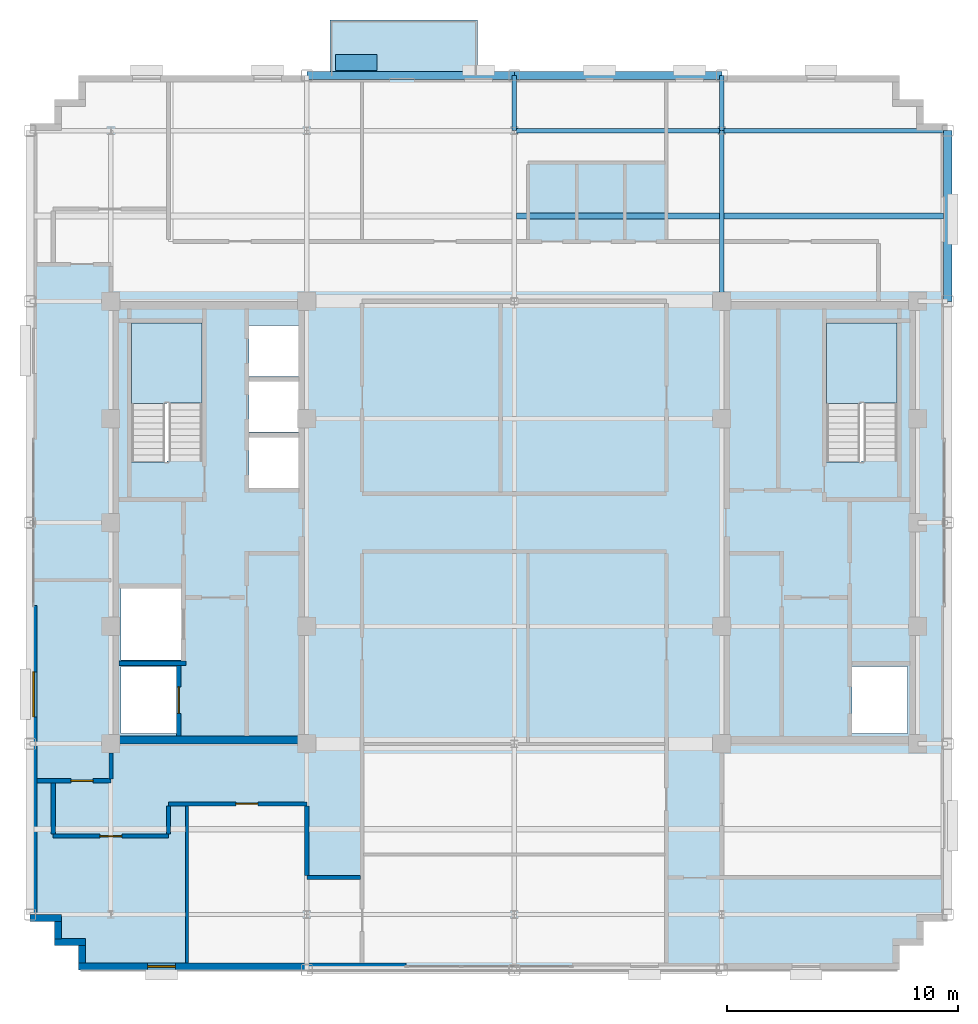
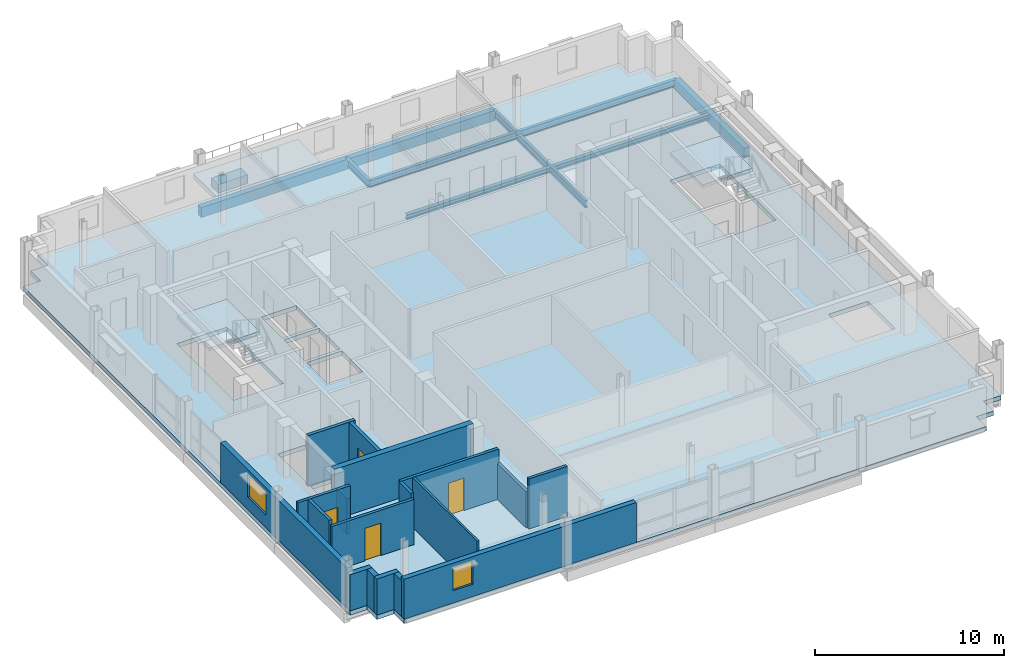
# One storey, part 5 of 16: 18 walls, 10 beams, 4 doors, 4 slabs, 2 windows, 1 plate, 6 openings, 2 elements without a shape of their own.
"""IFC4 building model written with IfcOpenShell, lengths in metres."""

from ifc_helpers import new_model, si_unit, direction, frame, frame_2d, origin, origin_2d, place, context, subcontext, project, spatial, polyline, rectangle, i_section, outline, extrude, source, transform, mapped, material, layer, layer_set, material_profile, profile_set, type_object, type_shapes, element, fill, aggregate, save


model = new_model("IFC4")

# Units and contexts
model_context = context("Model", 3, precision=1e-05, world=origin(), true_north=direction((0.0, 1.0)))
body_context = subcontext(model_context, "Body", "Model", "MODEL_VIEW")
ifc_project = project(units=[si_unit("LENGTHUNIT", "METRE"), si_unit("AREAUNIT", "SQUARE_METRE"), si_unit("VOLUMEUNIT", "CUBIC_METRE"), si_unit("PLANEANGLEUNIT", "RADIAN"), si_unit("MASSUNIT", "GRAM", prefix="KILO")], contexts=[model_context])

# Site, building, storey
site_placement = place(None, origin())
site = spatial("IfcSite", under=ifc_project, at=site_placement, CompositionType="ELEMENT")
building_placement = place(site_placement, origin())
building = spatial("IfcBuilding", under=site, at=building_placement, Name="Nuvemarco Arch Tower", CompositionType="ELEMENT")
storey_placement = place(building_placement, frame((0.0, 0.0, 249.300048828125)))
storey = spatial("IfcBuildingStorey", under=building, at=storey_placement, Name="L66", CompositionType="ELEMENT", Elevation=249.300048828125)

# Beams
ifc_material_1 = material(Name="Steel S355", Category="steel")
ifc_material_profile_1 = material_profile(ifc_material_1, i_section(OverallWidth=0.19189453125, OverallDepth=0.462890625, WebThickness=0.010498046875, FlangeThickness=0.017578125, FilletRadius=0.014892578125, at=origin_2d()), Name="W460x89")
ifc_profile_set_1 = profile_set([ifc_material_profile_1], Name="Steel S355")
beam_type_1 = type_object("IfcBeamType", Name="BM-GIRD-460", PredefinedType="BEAM", material=ifc_profile_set_1)
beam_1_placement = place(storey_placement, frame((0.0, 17.0, -0.511474609375), z_axis=(0.0, 1.0, 0.0), x_axis=(-1.0, 0.0, 0.0)))
element("IfcBeam", 1, at=beam_1_placement, inside=storey, type_object=beam_type_1, Name="L66 structural beam BGNS_L66_0_+0.0_+17.0", PredefinedType="BEAM", context=body_context, shape_type="SweptSolid", body=[
    extrude(i_section(OverallWidth=0.19189453125, OverallDepth=0.462890625, WebThickness=0.010498046875, FlangeThickness=0.017578125, FilletRadius=0.014892578125, at=origin_2d()), origin(), (0.0, 0.0, 1.0), 2.39990234375),
])
beam_2_placement = place(storey_placement, frame((9.0, 9.60009765625, -0.511474609375), z_axis=(0.0, 1.0, 0.0), x_axis=(-1.0, 0.0, 0.0)))
element("IfcBeam", 2, at=beam_2_placement, inside=storey, type_object=beam_type_1, Name="L66 structural beam BGNS_L66_0_+9.0_+9.6", PredefinedType="BEAM", context=body_context, shape_type="SweptSolid", body=[
    extrude(i_section(OverallWidth=0.19189453125, OverallDepth=0.462890625, WebThickness=0.010498046875, FlangeThickness=0.017578125, FilletRadius=0.014892578125, at=origin_2d()), origin(), (0.0, 0.0, 1.0), 7.39990234375),
])
beam_3_placement = place(storey_placement, frame((9.0, 17.0, -0.511474609375), z_axis=(0.0, 1.0, 0.0), x_axis=(-1.0, 0.0, 0.0)))
element("IfcBeam", 3, at=beam_3_placement, inside=storey, type_object=beam_type_1, Name="L66 structural beam BGNS_L66_0_+9.0_+17.0", PredefinedType="BEAM", context=body_context, shape_type="SweptSolid", body=[
    extrude(i_section(OverallWidth=0.19189453125, OverallDepth=0.462890625, WebThickness=0.010498046875, FlangeThickness=0.017578125, FilletRadius=0.014892578125, at=origin_2d()), origin(), (0.0, 0.0, 1.0), 2.39990234375),
])
beam_4_placement = place(storey_placement, frame((0.0, 17.0, -0.511474609375), z_axis=(1.0, 0.0, 0.0), x_axis=(0.0, 1.0, 0.0)))
element("IfcBeam", 4, at=beam_4_placement, inside=storey, type_object=beam_type_1, Name="L66 structural beam BGEW_L66_0_+17.0_+0.0", PredefinedType="BEAM", context=body_context, shape_type="SweptSolid", body=[
    extrude(i_section(OverallWidth=0.19189453125, OverallDepth=0.462890625, WebThickness=0.010498046875, FlangeThickness=0.017578125, FilletRadius=0.014892578125, at=origin_2d()), origin(), (0.0, 0.0, 1.0), 9.0),
])
beam_5_placement = place(storey_placement, frame((9.0, 17.0, -0.511474609375), z_axis=(1.0, 0.0, 0.0), x_axis=(0.0, 1.0, 0.0)))
element("IfcBeam", 5, at=beam_5_placement, inside=storey, type_object=beam_type_1, Name="L66 structural beam BGEW_L66_0_+17.0_+9.0", PredefinedType="BEAM", context=body_context, shape_type="SweptSolid", body=[
    extrude(i_section(OverallWidth=0.19189453125, OverallDepth=0.462890625, WebThickness=0.010498046875, FlangeThickness=0.017578125, FilletRadius=0.014892578125, at=origin_2d()), origin(), (0.0, 0.0, 1.0), 9.800048828125),
])
ifc_material_profile_2 = material_profile(ifc_material_1, i_section(OverallWidth=0.25390625, OverallDepth=0.305908203125, WebThickness=0.0087890625, FlangeThickness=0.0146484375, FilletRadius=0.014892578125, at=origin_2d()), Name="W310x79")
ifc_profile_set_2 = profile_set([ifc_material_profile_2], Name="Steel S355")
beam_type_2 = type_object("IfcBeamType", Name="BM-JOIST-310H", PredefinedType="JOIST", material=ifc_profile_set_2)
beam_6_placement = place(storey_placement, frame((0.095947265625, 13.300048828125, -0.43310546875), z_axis=(1.0, 0.0, 0.0), x_axis=(0.0, 1.0, 0.0)))
element("IfcBeam", 6, at=beam_6_placement, inside=storey, type_object=beam_type_2, Name="L66 structural beam BJ_L66_0_+13.3_+0.0", PredefinedType="JOIST", context=body_context, shape_type="SweptSolid", body=[
    extrude(i_section(OverallWidth=0.25390625, OverallDepth=0.305908203125, WebThickness=0.0087890625, FlangeThickness=0.0146484375, FilletRadius=0.014892578125, at=origin_2d()), origin(), (0.0, 0.0, 1.0), 8.80810546875),
])
beam_7_placement = place(storey_placement, frame((9.095947265625, 13.300048828125, -0.43310546875), z_axis=(1.0, 0.0, 0.0), x_axis=(0.0, 1.0, 0.0)))
element("IfcBeam", 7, at=beam_7_placement, inside=storey, type_object=beam_type_2, Name="L66 structural beam BJ_L66_0_+13.3_+9.0", PredefinedType="JOIST", context=body_context, shape_type="SweptSolid", body=[
    extrude(i_section(OverallWidth=0.25390625, OverallDepth=0.305908203125, WebThickness=0.0087890625, FlangeThickness=0.0146484375, FilletRadius=0.014892578125, at=origin_2d()), origin(), (0.0, 0.0, 1.0), 9.529052734375),
])
ifc_material_2 = material(Name="Precast concrete C45/55", Category="concrete")
ifc_material_profile_3 = material_profile(ifc_material_2, rectangle(XDim=0.35009765625, YDim=0.64990234375, at=origin_2d()), Name="PC-SP-350x650")
ifc_profile_set_3 = profile_set([ifc_material_profile_3], Name="Precast concrete C45/55")
beam_type_3 = type_object("IfcBeamType", Name="BM-SPAN-RC", PredefinedType="SPANDREL", material=ifc_profile_set_3)
beam_8_placement = place(storey_placement, frame((18.800048828125, 9.60009765625, -0.60498046875), z_axis=(0.0, 1.0, 0.0), x_axis=(-1.0, 0.0, 0.0)))
element("IfcBeam", 8, at=beam_8_placement, inside=storey, type_object=beam_type_3, Name="L66 structural beam BGNS_L66_0_+18.8_+9.6", PredefinedType="SPANDREL", context=body_context, shape_type="SweptSolid", body=[
    extrude(rectangle(XDim=0.35009765625, YDim=0.64990234375, at=origin_2d()), origin(), (0.0, 0.0, 1.0), 7.39990234375),
])
for number, where, z_axis, x_axis, name in (
    (9, (-9.0, 19.39990234375, -0.60498046875), (1.0, 0.0, 0.0), (0.0, 1.0, 0.0), "L66 structural beam BGEW_L66_0_+19.4_-9.0"),
    (10, (0.0, 19.39990234375, -0.60498046875), (1.0, 0.0, 0.0), (0.0, 1.0, 0.0), "L66 structural beam BGEW_L66_0_+19.4_+0.0"),
):
    element("IfcBeam", number, at=place(storey_placement, frame(where, z_axis=z_axis, x_axis=x_axis)), inside=storey, type_object=beam_type_3, Name=name, PredefinedType="SPANDREL", context=body_context, shape_type="SweptSolid", body=[
        extrude(rectangle(XDim=0.35009765625, YDim=0.64990234375, at=origin_2d()), origin(), (0.0, 0.0, 1.0), 9.0),
    ])

# Slab
ifc_material_3 = material(Name="Concrete C50/60", Category="concrete")
ifc_layer_1 = layer(ifc_material_3, 0.280029296875, Name="SL-FLR-280")
ifc_layer_set_1 = layer_set([ifc_layer_1], Name="Concrete C50/60")
slab_type_1 = type_object("IfcSlabType", Name="SL-FLR-280", PredefinedType="FLOOR", material=ifc_layer_set_1)
slab_1_placement = place(storey_placement, frame((0.0, 0.0, -0.280029296875)))
element("IfcSlab", 11, at=slab_1_placement, inside=storey, type_object=slab_type_1, Name="L66 structural floor slab", PredefinedType="FLOOR", context=body_context, shape_type="SweptSolid", body=[
    extrude(outline(polyline([(-18.89990234375, -19.39990234375), (16.699951171875, -19.39990234375), (16.699951171875, -18.35009765625), (17.75, -18.35009765625), (17.75, -17.300048828125), (18.800048828125, -17.300048828125), (18.800048828125, 17.300048828125), (17.75, 17.300048828125), (17.75, 18.35009765625), (16.699951171875, 18.35009765625), (16.699951171875, 19.39990234375), (-18.89990234375, 19.39990234375), (-18.89990234375, 18.35009765625), (-19.949951171875, 18.35009765625), (-19.949951171875, 17.300048828125), (-21.0, 17.300048828125), (-21.0, -17.300048828125), (-19.949951171875, -17.300048828125), (-19.949951171875, -18.35009765625), (-18.89990234375, -18.35009765625), (-18.89990234375, -19.39990234375)]), holes=[polyline([(-13.5400390625, 2.669921875), (-13.5400390625, 8.64990234375), (-16.60009765625, 8.64990234375), (-16.60009765625, 2.630615234375), (-15.070068359375, 2.630615234375), (-15.070068359375, 2.669921875), (-13.5400390625, 2.669921875)]), polyline([(16.60009765625, 2.669921875), (16.60009765625, 8.64990234375), (13.5400390625, 8.64990234375), (13.5400390625, 2.630615234375), (15.070068359375, 2.630615234375), (15.070068359375, 2.669921875), (16.60009765625, 2.669921875)]), polyline([(-17.050048828125, -9.14990234375), (-14.64990234375, -9.14990234375), (-14.64990234375, -6.25), (-17.050048828125, -6.25), (-17.050048828125, -9.14990234375)]), polyline([(-17.050048828125, -5.949951171875), (-14.449951171875, -5.949951171875), (-14.449951171875, -2.85009765625), (-17.050048828125, -2.85009765625), (-17.050048828125, -5.949951171875)]), polyline([(-11.5, 1.5), (-9.35009765625, 1.5), (-9.35009765625, 3.699951171875), (-11.5, 3.699951171875), (-11.5, 1.5)]), polyline([(-11.5, 3.919921875), (-9.35009765625, 3.919921875), (-9.35009765625, 6.1201171875), (-11.5, 6.1201171875), (-11.5, 3.919921875)]), polyline([(-11.5, 6.340087890625), (-9.35009765625, 6.340087890625), (-9.35009765625, 8.5400390625), (-11.5, 8.5400390625), (-11.5, 6.340087890625)]), polyline([(14.64990234375, -9.14990234375), (17.050048828125, -9.14990234375), (17.050048828125, -6.25), (14.64990234375, -6.25), (14.64990234375, -9.14990234375)])]), origin(), (0.0, 0.0, 1.0), 0.280029296875),
])

# Stair, slab
stair_type = type_object("IfcStairType", Name="ST-CORE-20R", PredefinedType="HALF_TURN_STAIR", material=ifc_material_2)
stair_1_placement = place(storey_placement, origin())
stair_1 = element("IfcStair", 12, at=stair_1_placement, inside=storey, type_object=stair_type, Name="L66 Protected Exit Stair ST-1", PredefinedType="HALF_TURN_STAIR")
ifc_layer_2 = layer(ifc_material_2, 0.199951171875, Name="SL-LANDING-200")
ifc_layer_set_2 = layer_set([ifc_layer_2], Name="Precast concrete C45/55")
slab_type_2 = type_object("IfcSlabType", Name="SL-LANDING-200", PredefinedType="LANDING", material=ifc_layer_set_2)
slab_2_placement = place(storey_placement, frame((0.0, 0.0, 1.625)))
slab_2 = element("IfcSlab", 13, at=slab_2_placement, type_object=slab_type_2, Name="ST-20R landing 1", PredefinedType="LANDING", context=body_context, shape_type="SweptSolid", body=[
    extrude(outline(polyline([(-13.5400390625, 5.189453125), (-13.5400390625, 8.64990234375), (-16.60009765625, 8.64990234375), (-16.60009765625, 5.169921875), (-15.070068359375, 5.169921875), (-15.070068359375, 5.189453125), (-13.5400390625, 5.189453125)])), origin(), (0.0, 0.0, 1.0), 0.199951171875),
])
aggregate(stair_1, [slab_2])

stair_2_placement = place(storey_placement, origin())
stair_2 = element("IfcStair", 14, at=stair_2_placement, inside=storey, type_object=stair_type, Name="L66 Protected Exit Stair ST-2", PredefinedType="HALF_TURN_STAIR")
slab_3_placement = place(storey_placement, frame((0.0, 0.0, 1.625)))
slab_3 = element("IfcSlab", 15, at=slab_3_placement, type_object=slab_type_2, Name="ST-20R landing 1", PredefinedType="LANDING", context=body_context, shape_type="SweptSolid", body=[
    extrude(outline(polyline([(16.60009765625, 5.189453125), (16.60009765625, 8.64990234375), (13.5400390625, 8.64990234375), (13.5400390625, 5.169921875), (15.070068359375, 5.169921875), (15.070068359375, 5.189453125), (16.60009765625, 5.189453125)])), origin(), (0.0, 0.0, 1.0), 0.199951171875),
])
aggregate(stair_2, [slab_3])

# Slab
ifc_layer_3 = layer(ifc_material_3, 0.294921875, Name="SL-TR4")
ifc_layer_set_3 = layer_set([ifc_layer_3], Name="Concrete C50/60")
slab_type_3 = type_object("IfcSlabType", Name="SL-TR4", PredefinedType="FLOOR", material=ifc_layer_set_3)
slab_4_placement = place(storey_placement, frame((0.0, 0.0, -0.295166015625)))
element("IfcSlab", 16, at=slab_4_placement, inside=storey, type_object=slab_type_3, Name="L66 outdoor spiral terrace slab 1", PredefinedType="FLOOR", context=body_context, shape_type="SweptSolid", body=[
    extrude(outline(polyline([(-8.0, 19.39990234375), (-1.60009765625, 19.39990234375), (-1.60009765625, 21.800048828125), (-8.0, 21.800048828125), (-8.0, 19.39990234375)])), origin(), (0.0, 0.0, 1.0), 0.295166015625),
])

# Plate
ifc_layer_4 = layer(ifc_material_2, 0.550048828125, Name="Tree Balcony Structural Planter")
ifc_layer_set_4 = layer_set([ifc_layer_4], Name="Precast concrete C45/55")
plate_type = type_object("IfcPlateType", Name="Tree Balcony Structural Planter", PredefinedType="USERDEFINED", material=ifc_layer_set_4)
shared_shape_1 = source(origin(), body_context, "Body", "SweptSolid", [
    extrude(rectangle(XDim=1.800048828125, YDim=0.699951171875, at=origin_2d()), origin(), (0.0, 0.0, 1.0), 0.550048828125),
])
type_shapes(plate_type, [shared_shape_1])
plate_placement = place(storey_placement, frame((-6.85009765625, 19.949951171875, 0.0), z_axis=(0.0, 0.0, 1.0), x_axis=(1.0, 0.0, 0.0)))
element("IfcPlate", 17, at=plate_placement, inside=storey, type_object=plate_type, Name="L66 Tree Balcony Structural Planter", ObjectType="PLANTER", PredefinedType="USERDEFINED", context=body_context, shape_type="MappedRepresentation", body=[
    mapped(shared_shape_1, transform((0.0, 0.0, 0.0), scale=1.0)),
])

# Wall, opening, window
ifc_layer_5 = layer(ifc_material_2, 0.300048828125, Name="EW-HIGH-300")
ifc_layer_set_5 = layer_set([ifc_layer_5], Name="Precast concrete C45/55")
wall_type_1 = type_object("IfcWallType", Name="EW-HIGH-300", PredefinedType="STANDARD", material=ifc_layer_set_5)
wall_1_placement = place(storey_placement, frame((-18.89990234375, -19.25, 0.0), z_axis=(0.0, 0.0, 1.0), x_axis=(1.0, 0.0, 0.0)))
wall_1 = element("IfcWall", 18, at=wall_1_placement, inside=storey, type_object=wall_type_1, Name="L66 exterior precast pier wall south left", PredefinedType="STANDARD", context=body_context, shape_type="SweptSolid", body=[
    extrude(rectangle(XDim=14.199951171875, YDim=0.300048828125, at=frame_2d((7.10009765625, 0.0))), origin(), (0.0, 0.0, 1.0), 2.5849609375),
])
opening_1_placement = place(wall_1_placement, frame((3.0, 0.0, 0.800048828125)))
opening_1 = element("IfcOpeningElement", 19, at=opening_1_placement, cuts=wall_1, Name="Opening WN-8", PredefinedType="OPENING", context=body_context, shape_type="SweptSolid", body=[
    extrude(rectangle(XDim=1.199951171875, YDim=1.47998046875, at=frame_2d((0.60009765625, 0.739990234375))), frame((0.0, 0.159912109375, 0.0), z_axis=(0.0, -1.0, 0.0), x_axis=(1.0, 0.0, 0.0)), (0.0, 0.0, 1.0), 0.320068359375),
])
ifc_material_4 = material(Name="Insulated solar-control glass", Category="glass")
window_type_1 = type_object("IfcWindowType", Name="WN-HIGH-1200x1480", PartitioningType="SINGLE_PANEL", PredefinedType="WINDOW", material=ifc_material_4)
shared_shape_2 = source(origin(), body_context, "Body", "SweptSolid", [
    extrude(rectangle(XDim=1.199951171875, YDim=1.47998046875, at=frame_2d((0.60009765625, 0.739990234375))), frame((0.0, 0.030029296875, 0.0), z_axis=(0.0, -1.0, 0.0), x_axis=(1.0, 0.0, 0.0)), (0.0, 0.0, 1.0), 0.06005859375),
])
type_shapes(window_type_1, [shared_shape_2])
window_1_placement = place(opening_1_placement, origin())
window_1 = element("IfcWindow", 20, at=window_1_placement, inside=storey, type_object=window_type_1, Name="L66 punched facade window 1", OverallHeight=1.47998046875, OverallWidth=1.199951171875, PartitioningType="SINGLE_PANEL", PredefinedType="WINDOW", context=body_context, shape_type="MappedRepresentation", body=[
    mapped(shared_shape_2, transform((0.0, 0.0, 0.0), scale=1.0)),
])
fill(opening_1, window_1)

wall_2_placement = place(storey_placement, frame((-20.85009765625, -17.00390625, 0.0), z_axis=(0.0, 0.0, 1.0), x_axis=(0.0, 1.0, 0.0)))
wall_2 = element("IfcWall", 21, at=wall_2_placement, inside=storey, type_object=wall_type_1, Name="L66 exterior precast pier wall west left", PredefinedType="STANDARD", context=body_context, shape_type="SweptSolid", body=[
    extrude(rectangle(XDim=13.40380859375, YDim=0.300048828125, at=frame_2d((6.701904296875, 0.0))), origin(), (0.0, 0.0, 1.0), 2.5849609375),
])
opening_2_placement = place(wall_2_placement, frame((8.577880859375, 0.0, 0.800048828125)))
opening_2 = element("IfcOpeningElement", 22, at=opening_2_placement, cuts=wall_2, Name="Opening WN-7", PredefinedType="OPENING", context=body_context, shape_type="SweptSolid", body=[
    extrude(rectangle(XDim=1.949951171875, YDim=1.47998046875, at=frame_2d((0.97509765625, 0.739990234375))), frame((0.0, 0.159912109375, 0.0), z_axis=(0.0, -1.0, 0.0), x_axis=(1.0, 0.0, 0.0)), (0.0, 0.0, 1.0), 0.320068359375),
])
window_type_2 = type_object("IfcWindowType", Name="WN-HIGH-1950x1480", PartitioningType="DOUBLE_PANEL_VERTICAL", PredefinedType="WINDOW", material=ifc_material_4)
shared_shape_3 = source(origin(), body_context, "Body", "SweptSolid", [
    extrude(rectangle(XDim=1.949951171875, YDim=1.47998046875, at=frame_2d((0.97509765625, 0.739990234375))), frame((0.0, 0.030029296875, 0.0), z_axis=(0.0, -1.0, 0.0), x_axis=(1.0, 0.0, 0.0)), (0.0, 0.0, 1.0), 0.06005859375),
])
type_shapes(window_type_2, [shared_shape_3])
window_2_placement = place(opening_2_placement, origin())
window_2 = element("IfcWindow", 23, at=window_2_placement, inside=storey, type_object=window_type_2, Name="L66 punched facade window 2", OverallHeight=1.47998046875, OverallWidth=1.949951171875, PartitioningType="SINGLE_PANEL", PredefinedType="WINDOW", context=body_context, shape_type="MappedRepresentation", body=[
    mapped(shared_shape_3, transform((0.0, 0.0, 0.0), scale=1.0)),
])
fill(opening_2, window_2)

# Walls
wall_3_placement = place(storey_placement, frame((-21.0, -17.14990234375, 0.0), z_axis=(0.0, 0.0, 1.0), x_axis=(1.0, 0.0, 0.0)))
element("IfcWall", 24, at=wall_3_placement, inside=storey, type_object=wall_type_1, Name="L66 exterior precast facade wall 17", PredefinedType="STANDARD", context=body_context, shape_type="SweptSolid", body=[
    extrude(rectangle(XDim=1.35009765625, YDim=0.300048828125, at=frame_2d((0.675048828125, 0.0))), origin(), (0.0, 0.0, 1.0), 2.3349609375),
])
wall_4_placement = place(storey_placement, frame((-19.800048828125, -18.053955078125, 0.0), z_axis=(0.0, 0.0, 1.0), x_axis=(0.0, 1.0, 0.0)))
element("IfcWall", 25, at=wall_4_placement, inside=storey, type_object=wall_type_1, Name="L66 exterior precast facade wall 18", PredefinedType="STANDARD", context=body_context, shape_type="SweptSolid", body=[
    extrude(rectangle(XDim=0.758056640625, YDim=0.300048828125, at=frame_2d((0.37890625, 0.0))), origin(), (0.0, 0.0, 1.0), 2.3349609375),
])
wall_5_placement = place(storey_placement, frame((-19.949951171875, -18.199951171875, 0.0), z_axis=(0.0, 0.0, 1.0), x_axis=(1.0, 0.0, 0.0)))
element("IfcWall", 26, at=wall_5_placement, inside=storey, type_object=wall_type_1, Name="L66 exterior precast facade wall 19", PredefinedType="STANDARD", context=body_context, shape_type="SweptSolid", body=[
    extrude(rectangle(XDim=1.349853515625, YDim=0.300048828125, at=frame_2d((0.6748046875, 0.0))), origin(), (0.0, 0.0, 1.0), 2.3349609375),
])
wall_6_placement = place(storey_placement, frame((-18.75, -19.10400390625, 0.0), z_axis=(0.0, 0.0, 1.0), x_axis=(0.0, 1.0, 0.0)))
element("IfcWall", 27, at=wall_6_placement, inside=storey, type_object=wall_type_1, Name="L66 exterior precast facade wall 20", PredefinedType="STANDARD", context=body_context, shape_type="SweptSolid", body=[
    extrude(rectangle(XDim=0.758056640625, YDim=0.300048828125, at=frame_2d((0.37890625, 0.0))), origin(), (0.0, 0.0, 1.0), 2.3349609375),
])
ifc_layer_6 = layer(ifc_material_3, 0.35009765625, Name="WL-CORE-350")
ifc_layer_set_6 = layer_set([ifc_layer_6], Name="Concrete C50/60")
wall_type_2 = type_object("IfcWallType", Name="WL-CORE-350", PredefinedType="SHEAR", material=ifc_layer_set_6)
wall_7_placement = place(storey_placement, frame((-17.5, -9.425048828125, 0.0), z_axis=(0.0, 0.0, 1.0), x_axis=(1.0, 0.0, 0.0)))
element("IfcWall", 28, at=wall_7_placement, inside=storey, type_object=wall_type_2, Name="L66 W-core shear wall S", PredefinedType="SHEAR", context=body_context, shape_type="SweptSolid", body=[
    extrude(rectangle(XDim=8.5, YDim=0.35009765625, at=frame_2d((4.25, 0.0))), origin(), (0.0, 0.0, 1.0), 3.25),
])
ifc_material_5 = material(Name="Fire-rated gypsum drywall partition")
ifc_layer_7 = layer(ifc_material_5, 0.179931640625, Name="WL-CORR-180")
ifc_layer_set_7 = layer_set([ifc_layer_7], Name="Fire-rated gypsum drywall partition")
wall_type_3 = type_object("IfcWallType", Name="WL-CORR-180", PredefinedType="PARTITIONING", material=ifc_layer_set_7)
wall_8_placement = place(storey_placement, frame((-9.0, -15.39990234375, 0.0), z_axis=(0.0, 0.0, 1.0), x_axis=(1.0, 0.0, 0.0)))
element("IfcWall", 29, at=wall_8_placement, inside=storey, type_object=wall_type_3, Name="L66 interior wall IW-L66-001", PredefinedType="PARTITIONING", context=body_context, shape_type="SweptSolid", body=[
    extrude(rectangle(XDim=2.339111328125, YDim=0.179931640625, at=frame_2d((1.16943359375, 0.0))), origin(), (0.0, 0.0, 1.0), 3.239990234375),
])

# Wall, opening, door
wall_9_placement = place(storey_placement, frame((-20.0, -13.60009765625, 0.0), z_axis=(0.0, 0.0, 1.0), x_axis=(1.0, 0.0, 0.0)))
wall_9 = element("IfcWall", 30, at=wall_9_placement, inside=storey, type_object=wall_type_3, Name="L66 interior wall IW-L66-004", PredefinedType="PARTITIONING", context=body_context, shape_type="SweptSolid", body=[
    extrude(rectangle(XDim=5.0, YDim=0.179931640625, at=frame_2d((2.5, 0.0))), origin(), (0.0, 0.0, 1.0), 2.928955078125),
])
opening_3_placement = place(wall_9_placement, frame((2.02001953125, 0.0, 0.0)))
opening_3 = element("IfcOpeningElement", 31, at=opening_3_placement, cuts=wall_9, Name="Opening FD-5", PredefinedType="OPENING", context=body_context, shape_type="SweptSolid", body=[
    extrude(rectangle(XDim=0.9599609375, YDim=2.10009765625, at=frame_2d((0.47998046875, 1.050048828125))), frame((0.0, 0.099853515625, 0.0), z_axis=(0.0, -1.0, 0.0), x_axis=(1.0, 0.0, 0.0)), (0.0, 0.0, 1.0), 0.199951171875),
])
ifc_material_6 = material(Name="Timber fire door", Category="wood")
door_type_1 = type_object("IfcDoorType", Name="DR-CORR-FD", OperationType="NOTDEFINED", PredefinedType="DOOR", material=ifc_material_6)
shared_shape_4 = source(origin(), body_context, "Body", "SweptSolid", [
    extrude(rectangle(XDim=0.9599609375, YDim=2.10009765625, at=frame_2d((0.47998046875, 1.050048828125))), frame((0.0, 0.02490234375, 0.0), z_axis=(0.0, -1.0, 0.0), x_axis=(1.0, 0.0, 0.0)), (0.0, 0.0, 1.0), 0.050048828125),
])
type_shapes(door_type_1, [shared_shape_4])
door_1_placement = place(opening_3_placement, origin())
door_1 = element("IfcDoor", 32, at=door_1_placement, inside=storey, type_object=door_type_1, Name="L66 door DR-L66-S_1", OperationType="SINGLE_SWING_RIGHT", OverallHeight=2.10009765625, OverallWidth=0.9599609375, PredefinedType="DOOR", context=body_context, shape_type="MappedRepresentation", body=[
    mapped(shared_shape_4, transform((0.0, 0.0, 0.0), scale=1.0)),
])
fill(opening_3, door_1)

wall_10_placement = place(storey_placement, frame((-15.0, -12.199951171875, 0.0), z_axis=(0.0, 0.0, 1.0), x_axis=(1.0, 0.0, 0.0)))
wall_10 = element("IfcWall", 33, at=wall_10_placement, inside=storey, type_object=wall_type_3, Name="L66 interior wall IW-L66-005", PredefinedType="PARTITIONING", context=body_context, shape_type="SweptSolid", body=[
    extrude(rectangle(XDim=6.0, YDim=0.179931640625, at=frame_2d((3.0, 0.0))), origin(), (0.0, 0.0, 1.0), 3.239990234375),
])
opening_4_placement = place(wall_10_placement, frame((2.919921875, 0.0, 0.0)))
opening_4 = element("IfcOpeningElement", 34, at=opening_4_placement, cuts=wall_10, Name="Opening FD-5", PredefinedType="OPENING", context=body_context, shape_type="SweptSolid", body=[
    extrude(rectangle(XDim=0.9599609375, YDim=2.10009765625, at=frame_2d((0.47998046875, 1.050048828125))), frame((0.0, 0.099853515625, 0.0), z_axis=(0.0, -1.0, 0.0), x_axis=(1.0, 0.0, 0.0)), (0.0, 0.0, 1.0), 0.199951171875),
])
door_2_placement = place(opening_4_placement, origin())
door_2 = element("IfcDoor", 35, at=door_2_placement, inside=storey, type_object=door_type_1, Name="L66 door DR-L66-S_2", OperationType="SINGLE_SWING_LEFT", OverallHeight=2.10009765625, OverallWidth=0.9599609375, PredefinedType="DOOR", context=body_context, shape_type="MappedRepresentation", body=[
    mapped(shared_shape_4, transform((0.0, 0.0, 0.0), scale=1.0)),
])
fill(opening_4, door_2)

wall_11_placement = place(storey_placement, frame((-20.699951171875, -11.199951171875, 0.0), z_axis=(0.0, 0.0, 1.0), x_axis=(1.0, 0.0, 0.0)))
wall_11 = element("IfcWall", 36, at=wall_11_placement, inside=storey, type_object=wall_type_3, Name="L66 interior wall IW-L66-006", PredefinedType="PARTITIONING", context=body_context, shape_type="SweptSolid", body=[
    extrude(rectangle(XDim=3.199951171875, YDim=0.179931640625, at=frame_2d((1.60009765625, 0.0))), origin(), (0.0, 0.0, 1.0), 3.239990234375),
])
opening_5_placement = place(wall_11_placement, frame((1.469970703125, 0.0, 0.0)))
opening_5 = element("IfcOpeningElement", 37, at=opening_5_placement, cuts=wall_11, Name="Opening FD-5", PredefinedType="OPENING", context=body_context, shape_type="SweptSolid", body=[
    extrude(rectangle(XDim=0.9599609375, YDim=2.10009765625, at=frame_2d((0.47998046875, 1.050048828125))), frame((0.0, 0.099853515625, 0.0), z_axis=(0.0, -1.0, 0.0), x_axis=(1.0, 0.0, 0.0)), (0.0, 0.0, 1.0), 0.199951171875),
])
door_3_placement = place(opening_5_placement, origin())
door_3 = element("IfcDoor", 38, at=door_3_placement, inside=storey, type_object=door_type_1, Name="L66 door DR-L66-W_1", OperationType="SINGLE_SWING_LEFT", OverallHeight=2.10009765625, OverallWidth=0.9599609375, PredefinedType="DOOR", context=body_context, shape_type="MappedRepresentation", body=[
    mapped(shared_shape_4, transform((0.0, 0.0, 0.0), scale=1.0)),
])
fill(opening_5, door_3)

# Walls
wall_12_placement = place(storey_placement, frame((-20.0, -13.513916015625, 0.0), z_axis=(0.0, 0.0, 1.0), x_axis=(0.0, 1.0, 0.0)))
element("IfcWall", 39, at=wall_12_placement, inside=storey, type_object=wall_type_3, Name="L66 interior wall IW-L66-018", PredefinedType="PARTITIONING", context=body_context, shape_type="SweptSolid", body=[
    extrude(rectangle(XDim=2.22802734375, YDim=0.179931640625, at=frame_2d((1.114013671875, 0.0))), origin(), (0.0, 0.0, 1.0), 3.239990234375),
])
wall_13_placement = place(storey_placement, frame((-17.5, -11.114013671875, 0.0), z_axis=(0.0, 0.0, 1.0), x_axis=(0.0, 1.0, 0.0)))
element("IfcWall", 40, at=wall_13_placement, inside=storey, type_object=wall_type_3, Name="L66 interior wall IW-L66-020", PredefinedType="PARTITIONING", context=body_context, shape_type="SweptSolid", body=[
    extrude(rectangle(XDim=1.117919921875, YDim=0.179931640625, at=frame_2d((0.55908203125, 0.0))), origin(), (0.0, 0.0, 1.0), 2.3349609375),
])
wall_14_placement = place(storey_placement, frame((-15.0, -13.513916015625, 0.0), z_axis=(0.0, 0.0, 1.0), x_axis=(0.0, 1.0, 0.0)))
element("IfcWall", 41, at=wall_14_placement, inside=storey, type_object=wall_type_3, Name="L66 interior wall IW-L66-022", PredefinedType="PARTITIONING", context=body_context, shape_type="SweptSolid", body=[
    extrude(rectangle(XDim=1.22802734375, YDim=0.179931640625, at=frame_2d((0.614013671875, 0.0))), origin(), (0.0, 0.0, 1.0), 3.239990234375),
])
wall_15_placement = place(storey_placement, frame((-9.0, -15.31396484375, 0.0), z_axis=(0.0, 0.0, 1.0), x_axis=(0.0, 1.0, 0.0)))
element("IfcWall", 42, at=wall_15_placement, inside=storey, type_object=wall_type_3, Name="L66 interior wall IW-L66-025", PredefinedType="PARTITIONING", context=body_context, shape_type="SweptSolid", body=[
    extrude(rectangle(XDim=3.028076171875, YDim=0.179931640625, at=frame_2d((1.51416015625, 0.0))), origin(), (0.0, 0.0, 1.0), 2.3349609375),
])
ifc_material_7 = material(Name="Glazed acoustic office partition")
ifc_layer_8 = layer(ifc_material_7, 0.1298828125, Name="WL-EXEC-130")
ifc_layer_set_8 = layer_set([ifc_layer_8], Name="Glazed acoustic office partition")
wall_type_4 = type_object("IfcWallType", Name="WL-EXEC-130", PredefinedType="PARTITIONING", material=ifc_layer_set_8)
wall_16_placement = place(storey_placement, frame((-14.199951171875, -19.10009765625, 0.0), z_axis=(0.0, 0.0, 1.0), x_axis=(0.0, 1.0, 0.0)))
element("IfcWall", 43, at=wall_16_placement, inside=storey, type_object=wall_type_4, Name="L66 interior wall IW-L66-024", PredefinedType="PARTITIONING", context=body_context, shape_type="SweptSolid", body=[
    extrude(rectangle(XDim=6.814208984375, YDim=0.1298828125, at=frame_2d((3.4072265625, 0.0))), origin(), (0.0, 0.0, 1.0), 3.239990234375),
])

# Wall, opening, door
ifc_layer_9 = layer(ifc_material_3, 0.199951171875, Name="WL-SHAFT-220")
ifc_layer_set_9 = layer_set([ifc_layer_9], Name="Concrete C50/60")
wall_type_5 = type_object("IfcWallType", Name="WL-SHAFT-220", PredefinedType="SHEAR", material=ifc_layer_set_9)
wall_17_placement = place(storey_placement, frame((-14.550048828125, -9.2548828125, 0.0), z_axis=(0.0, 0.0, 1.0), x_axis=(0.0, 1.0, 0.0)))
wall_17 = element("IfcWall", 44, at=wall_17_placement, inside=storey, type_object=wall_type_5, Name="L66 structural shaft wall SW-L66-W-SHE", PredefinedType="SHEAR", context=body_context, shape_type="SweptSolid", body=[
    extrude(rectangle(XDim=3.059814453125, YDim=0.199951171875, at=frame_2d((1.52978515625, 0.0))), origin(), (0.0, 0.0, 1.0), 3.25),
])
opening_6_placement = place(wall_17_placement, frame((0.97998046875, 0.0, 0.0)))
opening_6 = element("IfcOpeningElement", 45, at=opening_6_placement, cuts=wall_17, Name="Opening LD-2", PredefinedType="OPENING", context=body_context, shape_type="SweptSolid", body=[
    extrude(rectangle(XDim=1.14990234375, YDim=2.14990234375, at=frame_2d((0.574951171875, 1.074951171875))), frame((0.0, 0.10986328125, 0.0), z_axis=(0.0, -1.0, 0.0), x_axis=(1.0, 0.0, 0.0)), (0.0, 0.0, 1.0), 0.219970703125),
])
ifc_material_8 = material(Name="Stainless steel lift door", Category="steel")
door_type_2 = type_object("IfcDoorType", Name="DR-LIFT-FIRE", OperationType="DOUBLE_DOOR_SLIDING", PredefinedType="DOOR", material=ifc_material_8)
shared_shape_5 = source(origin(), body_context, "Body", "SweptSolid", [
    extrude(rectangle(XDim=1.14990234375, YDim=2.14990234375, at=frame_2d((0.574951171875, 1.074951171875))), frame((0.0, 0.02490234375, 0.0), z_axis=(0.0, -1.0, 0.0), x_axis=(1.0, 0.0, 0.0)), (0.0, 0.0, 1.0), 0.050048828125),
])
type_shapes(door_type_2, [shared_shape_5])
door_4_placement = place(opening_6_placement, origin())
door_4 = element("IfcDoor", 46, at=door_4_placement, inside=storey, type_object=door_type_2, Name="L66 Lift landing sliding door FFL-1", OperationType="DOUBLE_DOOR_SLIDING", OverallHeight=2.14990234375, OverallWidth=1.14990234375, PredefinedType="DOOR", context=body_context, shape_type="MappedRepresentation", body=[
    mapped(shared_shape_5, transform((0.0, 0.0, 0.0), scale=1.0)),
])
fill(opening_6, door_4)

# Wall
wall_18_placement = place(storey_placement, frame((-17.155029296875, -6.10009765625, 0.0), z_axis=(0.0, 0.0, 1.0), x_axis=(1.0, 0.0, 0.0)))
element("IfcWall", 47, at=wall_18_placement, inside=storey, type_object=wall_type_5, Name="L66 structural shaft wall SW-L66-W-SH1", PredefinedType="SHEAR", context=body_context, shape_type="SweptSolid", body=[
    extrude(rectangle(XDim=2.905029296875, YDim=0.199951171875, at=frame_2d((1.45263671875, 0.0))), origin(), (0.0, 0.0, 1.0), 3.25),
])

save(model, "model.ifc")
